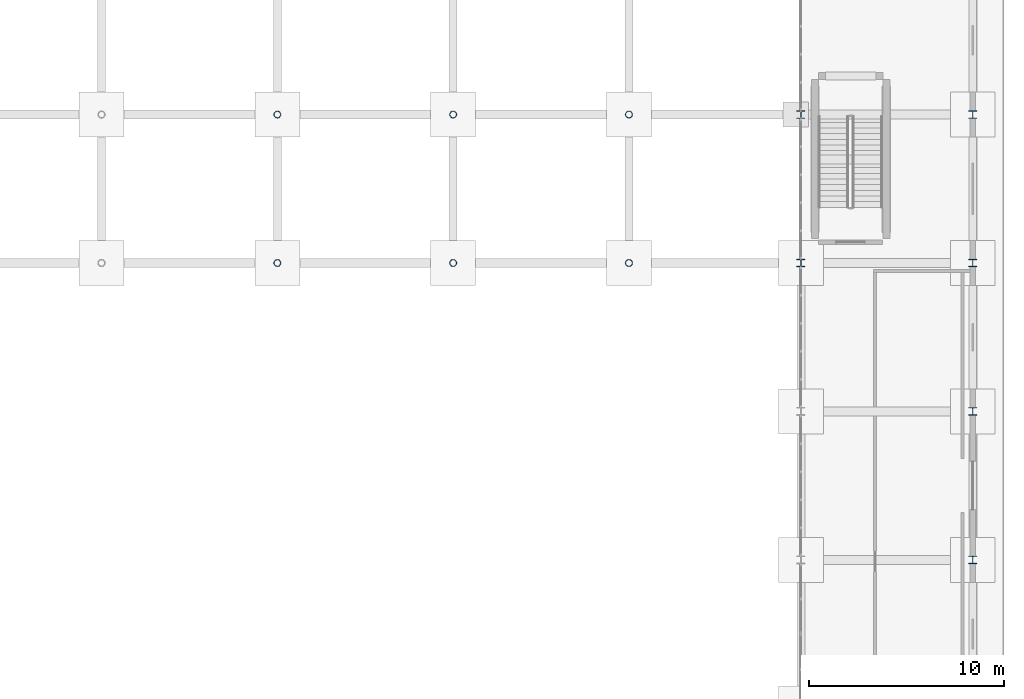
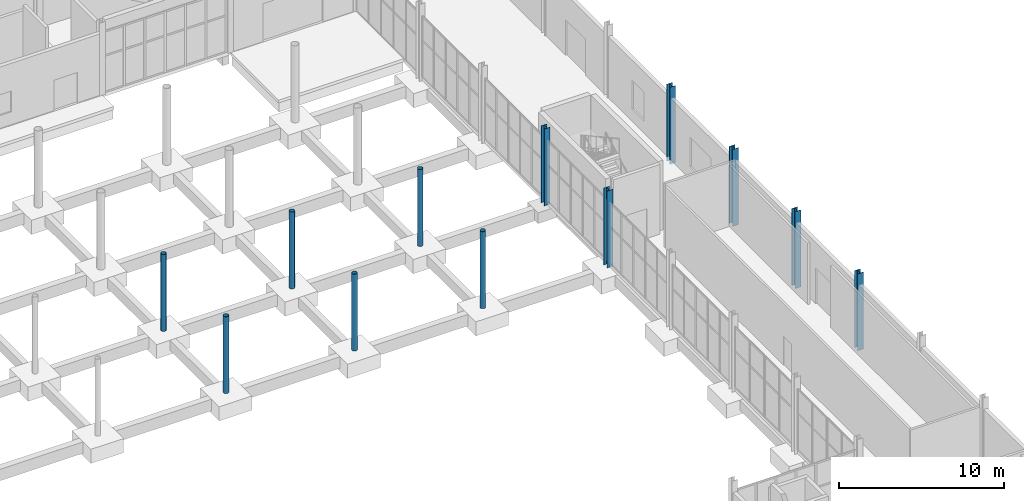
# One storey, part 18 of 95: 12 columns.
"""IFC4 building model written with IfcOpenShell, lengths in metres."""

from ifc_helpers import new_model, si_unit, direction, frame, origin, origin_2d, place, context, subcontext, project, spatial, hollow_circle, i_section, extrude, material, material_profile, profile_set, type_object, element, save


model = new_model("IFC4")

# Units and contexts
model_context = context("Model", 3, precision=1e-05, world=origin(), true_north=direction((0.0, 1.0)))
body_context = subcontext(model_context, "Body", "Model", "MODEL_VIEW")
ifc_project = project(units=[si_unit("LENGTHUNIT", "METRE"), si_unit("AREAUNIT", "SQUARE_METRE"), si_unit("VOLUMEUNIT", "CUBIC_METRE"), si_unit("PLANEANGLEUNIT", "RADIAN"), si_unit("MASSUNIT", "GRAM", prefix="KILO")], contexts=[model_context])

# Site, building, storey
site_placement = place(None, origin())
site = spatial("IfcSite", under=ifc_project, at=site_placement, CompositionType="ELEMENT")
building_placement = place(site_placement, origin())
building = spatial("IfcBuilding", under=site, at=building_placement, Name="Shengluoqiao Park Theatre", CompositionType="ELEMENT")
storey_placement = place(building_placement, origin())
storey = spatial("IfcBuildingStorey", under=building, at=storey_placement, Name="L00", CompositionType="ELEMENT", Elevation=0.0)

# Columns
ifc_material_1 = material(Name="Steel Q355", Category="steel")
ifc_material_profile_1 = material_profile(ifc_material_1, hollow_circle(Radius=0.177978515625, WallThickness=0.013916015625, at=origin_2d()), Name="CHS 356x14")
ifc_profile_set_1 = profile_set([ifc_material_profile_1], Name="Steel Q355")
column_type_1 = type_object("IfcColumnType", Name="STR-COL-C-CHS356", PredefinedType="COLUMN", material=ifc_profile_set_1)
for number, where, z_axis, x_axis, name in (
    (1, (130.39990234375, 53.199951171875, -0.300048828125), (0.0, 0.0, 1.0), (1.0, 0.0, 0.0), "L00 Column 0625"),
    (2, (130.39990234375, 60.800048828125, -0.300048828125), (0.0, 0.0, 1.0), (1.0, 0.0, 0.0), "L00 Column 0627"),
    (3, (139.39990234375, 53.199951171875, -0.300048828125), (0.0, 0.0, 1.0), (1.0, 0.0, 0.0), "L00 Column 0670"),
    (4, (139.39990234375, 60.800048828125, -0.300048828125), (0.0, 0.0, 1.0), (1.0, 0.0, 0.0), "L00 Column 0672"),
    (5, (148.39990234375, 53.199951171875, -0.300048828125), (0.0, 0.0, 1.0), (1.0, 0.0, 0.0), "L00 Column 0727"),
    (6, (148.39990234375, 60.800048828125, -0.300048828125), (0.0, 0.0, 1.0), (1.0, 0.0, 0.0), "L00 Column 0729"),
):
    element("IfcColumn", number, at=place(storey_placement, frame(where, z_axis=z_axis, x_axis=x_axis)), inside=storey, type_object=column_type_1, Name=name, PredefinedType="COLUMN", context=body_context, shape_type="SweptSolid", body=[
        extrude(hollow_circle(Radius=0.177978515625, WallThickness=0.013916015625, at=origin_2d()), origin(), (0.0, 0.0, 1.0), 5.699951171875),
    ])
ifc_material_2 = material(Name="Steel Q390", Category="steel")
ifc_material_profile_2 = material_profile(ifc_material_2, i_section(OverallWidth=0.407958984375, OverallDepth=0.39990234375, WebThickness=0.02099609375, FlangeThickness=0.02099609375, FilletRadius=0.02197265625, at=origin_2d()), Name="HW 400x408x21x21")
ifc_profile_set_2 = profile_set([ifc_material_profile_2], Name="Steel Q390")
column_type_2 = type_object("IfcColumnType", Name="STR-COL-C-HW408", PredefinedType="COLUMN", material=ifc_profile_set_2)
for number, where, z_axis, x_axis, name in (
    (7, (157.199951171875, 53.199951171875, -0.300048828125), (0.0, 0.0, 1.0), (1.0, 0.0, 0.0), "L00 Column 0790"),
    (8, (157.199951171875, 60.800048828125, -0.300048828125), (0.0, 0.0, 1.0), (1.0, 0.0, 0.0), "L00 Column 0793"),
    (9, (166.0, 38.0, -0.300048828125), (0.0, 0.0, 1.0), (1.0, 0.0, 0.0), "L00 Column 0847"),
    (10, (166.0, 45.60009765625, -0.300048828125), (0.0, 0.0, 1.0), (1.0, 0.0, 0.0), "L00 Column 0850"),
    (11, (166.0, 53.199951171875, -0.300048828125), (0.0, 0.0, 1.0), (1.0, 0.0, 0.0), "L00 Column 0853"),
    (12, (166.0, 60.800048828125, -0.300048828125), (0.0, 0.0, 1.0), (1.0, 0.0, 0.0), "L00 Column 0856"),
):
    element("IfcColumn", number, at=place(storey_placement, frame(where, z_axis=z_axis, x_axis=x_axis)), inside=storey, type_object=column_type_2, Name=name, PredefinedType="COLUMN", context=body_context, shape_type="SweptSolid", body=[
        extrude(i_section(OverallWidth=0.407958984375, OverallDepth=0.39990234375, WebThickness=0.02099609375, FlangeThickness=0.02099609375, FilletRadius=0.02197265625, at=origin_2d()), origin(), (0.0, 0.0, 1.0), 5.699951171875),
    ])

save(model, "model.ifc")
